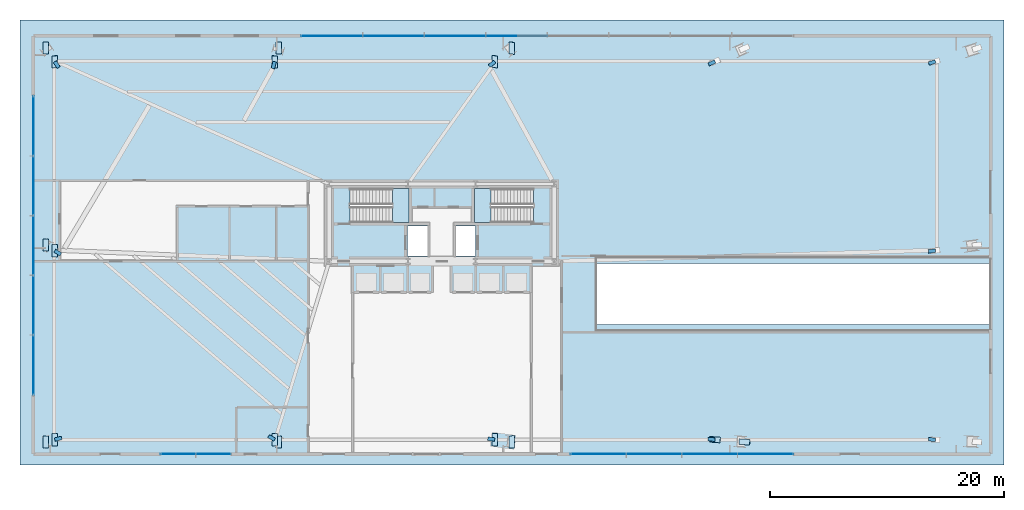
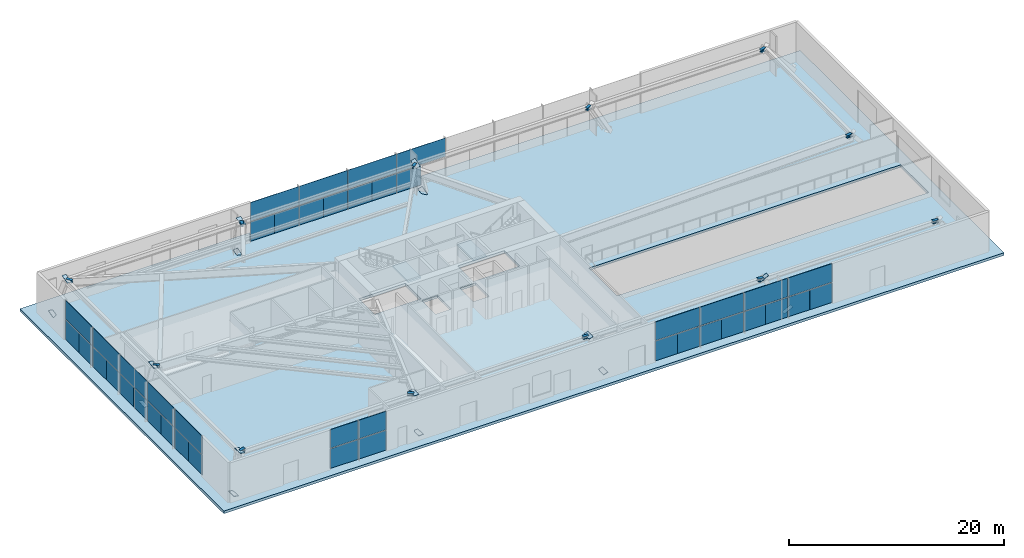
# One storey, part 22 of 31: 58 plates, 12 beams, 3 slabs, 6 elements without a shape of their own.
"""IFC4 building model written with IfcOpenShell, lengths in metres."""

from ifc_helpers import new_model, si_unit, direction, frame, origin, origin_2d, place, context, subcontext, project, spatial, polyline, rectangle, i_section, outline, extrude, source, transform, mapped, material, layer, layer_set, material_profile, profile_set, type_object, type_shapes, element, aggregate, save


model = new_model("IFC4")

# Units and contexts
model_context = context("Model", 3, precision=1e-05, world=origin(), true_north=direction((0.0, 1.0)))
body_context = subcontext(model_context, "Body", "Model", "MODEL_VIEW")
ifc_project = project(units=[si_unit("LENGTHUNIT", "METRE"), si_unit("AREAUNIT", "SQUARE_METRE"), si_unit("VOLUMEUNIT", "CUBIC_METRE"), si_unit("PLANEANGLEUNIT", "RADIAN"), si_unit("MASSUNIT", "GRAM", prefix="KILO")], contexts=[model_context])

# Site, building, storey
site_placement = place(None, origin())
site = spatial("IfcSite", under=ifc_project, at=site_placement, CompositionType="ELEMENT")
building_placement = place(site_placement, origin())
building = spatial("IfcBuilding", under=site, at=building_placement, Name="Astriad Promenade Condominiums", CompositionType="ELEMENT")
storey_placement = place(building_placement, origin())
storey = spatial("IfcBuildingStorey", under=building, at=storey_placement, Name="L00", CompositionType="ELEMENT", Elevation=0.0)

# Beams
ifc_material_1 = material(Name="Steel ASTM A992 Grade 50", Category="steel")
ifc_material_profile = material_profile(ifc_material_1, i_section(OverallWidth=0.3046875, OverallDepth=0.307861328125, WebThickness=0.010009765625, FlangeThickness=0.015380859375, FilletRadius=0.01513671875, at=origin_2d()), Name="W12X65")
ifc_profile_set = profile_set([ifc_material_profile], Name="Steel ASTM A992 Grade 50")
beam_type = type_object("IfcBeamType", Name="STEEL TRANSFER SPLICE HEADER W12X65", PredefinedType="LINTEL", material=ifc_profile_set)
shared_shape_1 = source(origin(), body_context, "Body", "SweptSolid", [
    extrude(i_section(OverallWidth=0.3046875, OverallDepth=0.307861328125, WebThickness=0.010009765625, FlangeThickness=0.015380859375, FilletRadius=0.01513671875, at=origin_2d()), origin(), (0.0, 0.0, 1.0), 0.6015625),
])
for number, where, z_axis, x_axis, name in (
    (1, (59.33056640625, 2.1748046875, 4.426025390625), (-0.997207627832, 0.074678959512, 0.0), (-0.074678959512, -0.997207627832, 0.0), "Column Transfer Splice Header SPL-PC04-L00"),
    (2, (78.14599609375, 2.17333984375, 4.426025390625), (-0.998607722654, 0.052750509527, 0.0), (-0.052750509527, -0.998607722654, 0.0), "Column Transfer Splice Header SPL-PC05-L00"),
    (3, (2.96630859375, 34.440185546875, 4.426025390625), (0.55479384988, -0.831987850954, 0.0), (0.831987850954, 0.55479384988, 0.0), "Column Transfer Splice Header SPL-PC06-L00"),
    (4, (21.745361328125, 34.438232421875, 4.426025390625), (-0.27922068724, -0.96022695641, 0.0), (0.96022695641, -0.27922068724, 0.0), "Column Transfer Splice Header SPL-PC07-L00"),
    (5, (40.531494140625, 34.4453125, 4.426025390625), (-0.780908405684, -0.624645549037, 0.0), (0.624645549037, -0.780908405684, 0.0), "Column Transfer Splice Header SPL-PC08-L00"),
    (6, (78.146484375, 18.316650390625, 4.426025390625), (-0.991477762645, -0.130276038399, 0.0), (0.130276038399, -0.991477762645, 0.0), "Column Transfer Splice Header SPL-PC12-L00"),
):
    element("IfcBeam", number, at=place(storey_placement, frame(where, z_axis=z_axis, x_axis=x_axis)), inside=storey, type_object=beam_type, Name=name, PredefinedType="LINTEL", context=body_context, shape_type="MappedRepresentation", body=[
        mapped(shared_shape_1, transform((0.0, 0.0, 0.0), scale=1.0)),
    ])
shared_shape_2 = source(origin(), body_context, "Body", "SweptSolid", [
    extrude(i_section(OverallWidth=0.3046875, OverallDepth=0.307861328125, WebThickness=0.010009765625, FlangeThickness=0.015380859375, FilletRadius=0.01513671875, at=origin_2d()), origin(), (0.0, 0.0, 1.0), 0.601318359375),
])
type_shapes(beam_type, [shared_shape_1, shared_shape_2])
for number, where, z_axis, x_axis, name in (
    (7, (2.97119140625, 2.177734375, 4.426025390625), (0.970380863356, 0.241580173095, 0.0), (-0.241580173095, 0.970380863356, 0.0), "Column Transfer Splice Header SPL-PC01-L00"),
    (8, (21.742431640625, 2.1787109375, 4.426025390625), (-0.870358625193, 0.49241838263, 0.0), (-0.49241838263, -0.870358625193, 0.0), "Column Transfer Splice Header SPL-PC02-L00"),
    (9, (40.5263671875, 2.176513671875, 4.426025390625), (-0.991312783741, 0.131525529047, 0.0), (-0.131525529047, -0.991312783741, 0.0), "Column Transfer Splice Header SPL-PC03-L00"),
    (10, (59.334716796875, 34.453857421875, 4.426025390625), (-0.910977205265, -0.412456702562, 0.0), (0.412456702562, -0.910977205265, 0.0), "Column Transfer Splice Header SPL-PC09-L00"),
    (11, (78.149169921875, 34.460693359375, 4.426025390625), (-0.953558121384, -0.301209078785, 0.0), (0.301209078785, -0.953558121384, 0.0), "Column Transfer Splice Header SPL-PC10-L00"),
    (12, (2.97021484375, 18.30615234375, 4.426025390625), (0.848408547847, -0.52934198392, 0.0), (0.52934198392, 0.848408547847, 0.0), "Column Transfer Splice Header SPL-PC11-L00"),
):
    element("IfcBeam", number, at=place(storey_placement, frame(where, z_axis=z_axis, x_axis=x_axis)), inside=storey, type_object=beam_type, Name=name, PredefinedType="LINTEL", context=body_context, shape_type="MappedRepresentation", body=[
        mapped(shared_shape_2, transform((0.0, 0.0, 0.0), scale=1.0)),
    ])

# Slab
ifc_material_2 = material(Name="Concrete C50/60", Category="concrete")
ifc_layer_1 = layer(ifc_material_2, 0.300048828125)
ifc_layer_set_1 = layer_set([ifc_layer_1], Name="Concrete C50/60")
slab_type_1 = type_object("IfcSlabType", Name="CONCRETE PODIUM AND PLANT FLOOR SLAB 300", PredefinedType="FLOOR", material=ifc_layer_set_1)
slab_1_placement = place(storey_placement, frame((0.0, 0.0, -0.300048828125)))
element("IfcSlab", 13, at=slab_1_placement, inside=storey, type_object=slab_type_1, Name="Structural Floor Slab (L00)", PredefinedType="FLOOR", context=body_context, shape_type="SweptSolid", body=[
    extrude(outline(polyline([(0.0, 0.0), (84.0, 0.0), (84.0, 38.0), (0.0, 38.0), (0.0, 0.0)]), holes=[polyline([(28.175048828125, 20.699951171875), (33.175048828125, 20.699951171875), (33.175048828125, 23.60009765625), (28.175048828125, 23.60009765625), (28.175048828125, 20.699951171875)]), polyline([(38.824951171875, 20.699951171875), (43.824951171875, 20.699951171875), (43.824951171875, 23.60009765625), (38.824951171875, 23.60009765625), (38.824951171875, 20.699951171875)]), polyline([(33.10009765625, 17.85009765625), (34.800048828125, 17.85009765625), (34.800048828125, 20.39990234375), (33.10009765625, 20.39990234375), (33.10009765625, 17.85009765625)]), polyline([(37.199951171875, 17.85009765625), (38.89990234375, 17.85009765625), (38.89990234375, 20.39990234375), (37.199951171875, 20.39990234375), (37.199951171875, 17.85009765625)]), polyline([(49.25, 12.0), (82.81005859375, 12.0), (82.81005859375, 17.199951171875), (49.25, 17.199951171875), (49.25, 12.0)])]), origin(), (0.0, 0.0, 1.0), 0.300048828125),
])

# Stair, slab
stair_type = type_object("IfcStairType", Name="STR-CORE-1350", PredefinedType="HALF_TURN_STAIR", material=ifc_material_2)
stair_1_placement = place(storey_placement, origin())
stair_1 = element("IfcStair", 14, at=stair_1_placement, inside=storey, type_object=stair_type, Name="L00 Enclosed Core Exit Stair ST-1", PredefinedType="HALF_TURN_STAIR")
ifc_layer_2 = layer(ifc_material_2, 0.219970703125)
ifc_layer_set_2 = layer_set([ifc_layer_2], Name="Concrete C50/60")
slab_type_2 = type_object("IfcSlabType", Name="SLB-LANDING-220", PredefinedType="LANDING", material=ifc_layer_set_2)
slab_2_placement = place(storey_placement, frame((0.0, 0.0, 2.300048828125)))
slab_2 = element("IfcSlab", 15, at=slab_2_placement, type_object=slab_type_2, Name="ST-1 landing 1", PredefinedType="LANDING", context=body_context, shape_type="SweptSolid", body=[
    extrude(outline(polyline([(31.7900390625, 20.699951171875), (33.199951171875, 20.699951171875), (33.199951171875, 23.60009765625), (31.7900390625, 23.60009765625), (31.7900390625, 20.699951171875)])), origin(), (0.0, 0.0, 1.0), 0.199951171875),
])
aggregate(stair_1, [slab_2])

stair_2_placement = place(storey_placement, origin())
stair_2 = element("IfcStair", 16, at=stair_2_placement, inside=storey, type_object=stair_type, Name="L00 Enclosed Core Exit Stair ST-2", PredefinedType="HALF_TURN_STAIR")
slab_3_placement = place(storey_placement, frame((0.0, 0.0, 2.300048828125)))
slab_3 = element("IfcSlab", 17, at=slab_3_placement, type_object=slab_type_2, Name="ST-2 landing 1", PredefinedType="LANDING", context=body_context, shape_type="SweptSolid", body=[
    extrude(outline(polyline([(40.2099609375, 23.60009765625), (38.800048828125, 23.60009765625), (38.800048828125, 20.699951171875), (40.2099609375, 20.699951171875), (40.2099609375, 23.60009765625)])), origin(), (0.0, 0.0, 1.0), 0.199951171875),
])
aggregate(stair_2, [slab_3])

# Plates
ifc_material_3 = material(Name="Steel ASTM A572 Grade 50", Category="steel")
ifc_layer_3 = layer(ifc_material_3, 0.02490234375)
ifc_layer_set_3 = layer_set([ifc_layer_3], Name="Steel ASTM A572 Grade 50")
plate_type_1 = type_object("IfcPlateType", Name="STEEL HOLLOW SECTION END CAP PLATE 30", PredefinedType="USERDEFINED", material=ifc_layer_set_3)
shared_shape_3 = source(origin(), body_context, "Body", "SweptSolid", [
    extrude(rectangle(XDim=0.477294921875, YDim=1.05126953125, at=origin_2d()), origin(), (0.0, 0.0, 1.0), 0.02490234375),
])
type_shapes(plate_type_1, [shared_shape_3])
for number, where, z_axis, x_axis, name in (
    (18, (2.1845703125, 1.981201171875, 0.0263671875), (0.171896882021, 0.042985209005, 0.984176678121), (1.0, 0.0, 0.0), "Hollow Section End Cap Plate COL-PC01-L00-A"),
    (19, (2.970947265625, 2.177734375, 4.529296875), (0.171896882021, 0.042985209005, 0.984176678121), (1.0, 0.0, 0.0), "Hollow Section End Cap Plate COL-PC01-L00-B"),
    (20, (22.089599609375, 1.98046875, 0.00634765625), (-0.076118083013, 0.043483447007, 0.99615020317), (1.0, 0.0, 0.0), "Hollow Section End Cap Plate COL-PC02-L00-A"),
    (21, (21.742431640625, 2.1787109375, 4.548828125), (-0.076118083013, 0.043483447007, 0.99615020317), (1.0, 0.0, 0.0), "Hollow Section End Cap Plate COL-PC02-L00-B"),
    (22, (41.9814453125, 1.982421875, 0.056884765625), (-0.310974724135, 0.041471892018, 0.949512929413), (1.0, 0.0, 0.0), "Hollow Section End Cap Plate COL-PC03-L00-A"),
    (23, (40.5263671875, 2.176513671875, 4.49951171875), (-0.310974724135, 0.041471892018, 0.949512929413), (1.0, 0.0, 0.0), "Hollow Section End Cap Plate COL-PC03-L00-B"),
    (24, (61.85205078125, 1.984375, 0.100341796875), (-0.500447434033, 0.037777897003, 0.864942308057), (-0.075274072964, -0.997162882351, 0.0), "Hollow Section End Cap Plate COL-PC04-L00-A"),
    (25, (59.33056640625, 2.1748046875, 4.458251953125), (-0.500447434033, 0.037777897003, 0.864942308057), (-0.075274072964, -0.997162882351, 0.0), "Hollow Section End Cap Plate COL-PC04-L00-B"),
    (26, (2.189453125, 35.60595703125, 0.0537109375), (0.166587773066, -0.249924772099, 0.953827092379), (1.0, 0.0, 0.0), "Hollow Section End Cap Plate COL-PC06-L00-A"),
    (27, (2.966552734375, 34.4404296875, 4.50244140625), (0.166587773066, -0.249924772099, 0.953827092379), (1.0, 0.0, 0.0), "Hollow Section End Cap Plate COL-PC06-L00-B"),
    (28, (22.086669921875, 35.608154296875, 0.045654296875), (-0.073730601014, -0.252778219049, 0.964710822189), (1.0, 0.0, 0.0), "Hollow Section End Cap Plate COL-PC07-L00-A"),
    (29, (21.745361328125, 34.438232421875, 4.510498046875), (-0.073730601014, -0.252778219049, 0.964710822189), (1.0, 0.0, 0.0), "Hollow Section End Cap Plate COL-PC07-L00-B"),
    (30, (41.975830078125, 35.6005859375, 0.07373046875), (-0.302035898025, -0.24162031002, 0.922168066076), (1.0, 0.0, 0.0), "Hollow Section End Cap Plate COL-PC08-L00-A"),
    (31, (40.531494140625, 34.4453125, 4.4833984375), (-0.302035898025, -0.24162031002, 0.922168066076), (1.0, 0.0, 0.0), "Hollow Section End Cap Plate COL-PC08-L00-B"),
    (32, (2.185546875, 18.79638671875, 0.03173828125), (0.171080260009, -0.106936123006, 0.979436680052), (1.0, 0.0, 0.0), "Hollow Section End Cap Plate COL-PC11-L00-A"),
    (33, (2.97021484375, 18.305908203125, 4.52392578125), (0.171080260009, -0.106936123006, 0.979436680052), (1.0, 0.0, 0.0), "Hollow Section End Cap Plate COL-PC11-L00-B"),
):
    element("IfcPlate", number, at=place(storey_placement, frame(where, z_axis=z_axis, x_axis=x_axis)), inside=storey, type_object=plate_type_1, Name=name, ObjectType="STIFFENER_PLATE", PredefinedType="USERDEFINED", context=body_context, shape_type="MappedRepresentation", body=[
        mapped(shared_shape_3, transform((0.0, 0.0, 0.0), scale=1.0)),
    ])

# Curtain wall, plates
ifc_material_4 = material(Name="Anodised aluminium Black Dark Glass Unitised", Category="aluminium")
curtain_wall_type = type_object("IfcCurtainWallType", Name="CW-POD-DARK", PredefinedType="USERDEFINED", material=ifc_material_4)
curtain_wall_1_placement = place(storey_placement, origin())
curtain_wall_1 = element("IfcCurtainWall", 34, at=curtain_wall_1_placement, inside=storey, type_object=curtain_wall_type, Name="CW-L00-W", ObjectType="UNITISED_CURTAIN_WALL", PredefinedType="USERDEFINED")
ifc_material_5 = material(Name="Dark Tinted Low-E Laminated Glass", Category="glass")
ifc_layer_4 = layer(ifc_material_5, 0.035888671875)
ifc_layer_set_4 = layer_set([ifc_layer_4], Name="Dark Tinted Low-E Laminated Glass")
plate_type_2 = type_object("IfcPlateType", Name="PNL-DARK-GLASS-36", PredefinedType="CURTAIN_PANEL", material=ifc_layer_set_4)
shared_shape_4 = source(origin(), body_context, "Body", "SweptSolid", [
    extrude(rectangle(XDim=2.5380859375, YDim=0.035888671875, at=origin_2d()), origin(), (0.0, 0.0, 1.0), 2.22998046875),
])
plate_1_placement = place(storey_placement, frame((1.14990234375, 7.27490234375, 0.080078125), z_axis=(0.0, 0.0, 1.0), x_axis=(0.0, 1.0, 0.0)))
plate_1 = element("IfcPlate", 35, at=plate_1_placement, type_object=plate_type_2, Name="CW-L00-W-PNL-00-VL", PredefinedType="CURTAIN_PANEL", context=body_context, shape_type="MappedRepresentation", body=[
    mapped(shared_shape_4, transform((0.0, 0.0, 0.0), scale=1.0)),
])
plate_2_placement = place(storey_placement, frame((1.14990234375, 9.824951171875, 0.080078125), z_axis=(0.0, 0.0, 1.0), x_axis=(0.0, 1.0, 0.0)))
plate_2 = element("IfcPlate", 36, at=plate_2_placement, type_object=plate_type_2, Name="CW-L00-W-PNL-00-VR", PredefinedType="CURTAIN_PANEL", context=body_context, shape_type="MappedRepresentation", body=[
    mapped(shared_shape_4, transform((0.0, 0.0, 0.0), scale=1.0)),
])
plate_3_placement = place(storey_placement, frame((1.14990234375, 12.375, 0.080078125), z_axis=(0.0, 0.0, 1.0), x_axis=(0.0, 1.0, 0.0)))
plate_3 = element("IfcPlate", 37, at=plate_3_placement, type_object=plate_type_2, Name="CW-L00-W-PNL-01-VL", PredefinedType="CURTAIN_PANEL", context=body_context, shape_type="MappedRepresentation", body=[
    mapped(shared_shape_4, transform((0.0, 0.0, 0.0), scale=1.0)),
])
plate_4_placement = place(storey_placement, frame((1.14990234375, 14.925048828125, 0.080078125), z_axis=(0.0, 0.0, 1.0), x_axis=(0.0, 1.0, 0.0)))
plate_4 = element("IfcPlate", 38, at=plate_4_placement, type_object=plate_type_2, Name="CW-L00-W-PNL-01-VR", PredefinedType="CURTAIN_PANEL", context=body_context, shape_type="MappedRepresentation", body=[
    mapped(shared_shape_4, transform((0.0, 0.0, 0.0), scale=1.0)),
])
plate_5_placement = place(storey_placement, frame((1.14990234375, 17.47509765625, 0.080078125), z_axis=(0.0, 0.0, 1.0), x_axis=(0.0, 1.0, 0.0)))
plate_5 = element("IfcPlate", 39, at=plate_5_placement, type_object=plate_type_2, Name="CW-L00-W-PNL-02-VL", PredefinedType="CURTAIN_PANEL", context=body_context, shape_type="MappedRepresentation", body=[
    mapped(shared_shape_4, transform((0.0, 0.0, 0.0), scale=1.0)),
])
plate_6_placement = place(storey_placement, frame((1.14990234375, 20.02490234375, 0.080078125), z_axis=(0.0, 0.0, 1.0), x_axis=(0.0, 1.0, 0.0)))
plate_6 = element("IfcPlate", 40, at=plate_6_placement, type_object=plate_type_2, Name="CW-L00-W-PNL-02-VR", PredefinedType="CURTAIN_PANEL", context=body_context, shape_type="MappedRepresentation", body=[
    mapped(shared_shape_4, transform((0.0, 0.0, 0.0), scale=1.0)),
])
plate_7_placement = place(storey_placement, frame((1.14990234375, 22.574951171875, 0.080078125), z_axis=(0.0, 0.0, 1.0), x_axis=(0.0, 1.0, 0.0)))
plate_7 = element("IfcPlate", 41, at=plate_7_placement, type_object=plate_type_2, Name="CW-L00-W-PNL-03-VL", PredefinedType="CURTAIN_PANEL", context=body_context, shape_type="MappedRepresentation", body=[
    mapped(shared_shape_4, transform((0.0, 0.0, 0.0), scale=1.0)),
])
plate_8_placement = place(storey_placement, frame((1.14990234375, 25.125, 0.080078125), z_axis=(0.0, 0.0, 1.0), x_axis=(0.0, 1.0, 0.0)))
plate_8 = element("IfcPlate", 42, at=plate_8_placement, type_object=plate_type_2, Name="CW-L00-W-PNL-03-VR", PredefinedType="CURTAIN_PANEL", context=body_context, shape_type="MappedRepresentation", body=[
    mapped(shared_shape_4, transform((0.0, 0.0, 0.0), scale=1.0)),
])
plate_9_placement = place(storey_placement, frame((1.14990234375, 27.675048828125, 0.080078125), z_axis=(0.0, 0.0, 1.0), x_axis=(0.0, 1.0, 0.0)))
plate_9 = element("IfcPlate", 43, at=plate_9_placement, type_object=plate_type_2, Name="CW-L00-W-PNL-04-VL", PredefinedType="CURTAIN_PANEL", context=body_context, shape_type="MappedRepresentation", body=[
    mapped(shared_shape_4, transform((0.0, 0.0, 0.0), scale=1.0)),
])
plate_10_placement = place(storey_placement, frame((1.14990234375, 30.22509765625, 0.080078125), z_axis=(0.0, 0.0, 1.0), x_axis=(0.0, 1.0, 0.0)))
plate_10 = element("IfcPlate", 44, at=plate_10_placement, type_object=plate_type_2, Name="CW-L00-W-PNL-04-VR", PredefinedType="CURTAIN_PANEL", context=body_context, shape_type="MappedRepresentation", body=[
    mapped(shared_shape_4, transform((0.0, 0.0, 0.0), scale=1.0)),
])
shared_shape_5 = source(origin(), body_context, "Body", "SweptSolid", [
    extrude(rectangle(XDim=5.087890625, YDim=0.035888671875, at=origin_2d()), origin(), (0.0, 0.0, 1.0), 2.110107421875),
])
plate_11_placement = place(storey_placement, frame((1.14990234375, 8.550048828125, 2.39013671875), z_axis=(0.0, 0.0, 1.0), x_axis=(0.0, 1.0, 0.0)))
plate_11 = element("IfcPlate", 45, at=plate_11_placement, type_object=plate_type_2, Name="CW-L00-W-PNL-00-S", PredefinedType="CURTAIN_PANEL", context=body_context, shape_type="MappedRepresentation", body=[
    mapped(shared_shape_5, transform((0.0, 0.0, 0.0), scale=1.0)),
])
plate_12_placement = place(storey_placement, frame((1.14990234375, 13.64990234375, 2.39013671875), z_axis=(0.0, 0.0, 1.0), x_axis=(0.0, 1.0, 0.0)))
plate_12 = element("IfcPlate", 46, at=plate_12_placement, type_object=plate_type_2, Name="CW-L00-W-PNL-01-S", PredefinedType="CURTAIN_PANEL", context=body_context, shape_type="MappedRepresentation", body=[
    mapped(shared_shape_5, transform((0.0, 0.0, 0.0), scale=1.0)),
])
plate_13_placement = place(storey_placement, frame((1.14990234375, 18.75, 2.39013671875), z_axis=(0.0, 0.0, 1.0), x_axis=(0.0, 1.0, 0.0)))
plate_13 = element("IfcPlate", 47, at=plate_13_placement, type_object=plate_type_2, Name="CW-L00-W-PNL-02-S", PredefinedType="CURTAIN_PANEL", context=body_context, shape_type="MappedRepresentation", body=[
    mapped(shared_shape_5, transform((0.0, 0.0, 0.0), scale=1.0)),
])
plate_14_placement = place(storey_placement, frame((1.14990234375, 23.85009765625, 2.39013671875), z_axis=(0.0, 0.0, 1.0), x_axis=(0.0, 1.0, 0.0)))
plate_14 = element("IfcPlate", 48, at=plate_14_placement, type_object=plate_type_2, Name="CW-L00-W-PNL-03-S", PredefinedType="CURTAIN_PANEL", context=body_context, shape_type="MappedRepresentation", body=[
    mapped(shared_shape_5, transform((0.0, 0.0, 0.0), scale=1.0)),
])
plate_15_placement = place(storey_placement, frame((1.14990234375, 28.949951171875, 2.39013671875), z_axis=(0.0, 0.0, 1.0), x_axis=(0.0, 1.0, 0.0)))
plate_15 = element("IfcPlate", 49, at=plate_15_placement, type_object=plate_type_2, Name="CW-L00-W-PNL-04-S", PredefinedType="CURTAIN_PANEL", context=body_context, shape_type="MappedRepresentation", body=[
    mapped(shared_shape_5, transform((0.0, 0.0, 0.0), scale=1.0)),
])
aggregate(curtain_wall_1, [plate_1, plate_2, plate_11, plate_3, plate_4, plate_12, plate_5, plate_6, plate_13, plate_7, plate_8, plate_14, plate_9, plate_10, plate_15])

curtain_wall_2_placement = place(storey_placement, origin())
curtain_wall_2 = element("IfcCurtainWall", 50, at=curtain_wall_2_placement, inside=storey, type_object=curtain_wall_type, Name="CW-L00-N", ObjectType="UNITISED_CURTAIN_WALL", PredefinedType="USERDEFINED")
shared_shape_6 = source(origin(), body_context, "Body", "SweptSolid", [
    extrude(rectangle(XDim=2.613037109375, YDim=0.035888671875, at=origin_2d()), origin(), (0.0, 0.0, 1.0), 2.22998046875),
])
plate_16_placement = place(storey_placement, frame((25.3125, 36.64990234375, 0.080078125), z_axis=(0.0, 0.0, 1.0), x_axis=(1.0, 0.0, 0.0)))
plate_16 = element("IfcPlate", 51, at=plate_16_placement, type_object=plate_type_2, Name="CW-L00-N-PNL-00-VL", PredefinedType="CURTAIN_PANEL", context=body_context, shape_type="MappedRepresentation", body=[
    mapped(shared_shape_6, transform((0.0, 0.0, 0.0), scale=1.0)),
])
plate_17_placement = place(storey_placement, frame((27.9375, 36.64990234375, 0.080078125), z_axis=(0.0, 0.0, 1.0), x_axis=(1.0, 0.0, 0.0)))
plate_17 = element("IfcPlate", 52, at=plate_17_placement, type_object=plate_type_2, Name="CW-L00-N-PNL-00-VR", PredefinedType="CURTAIN_PANEL", context=body_context, shape_type="MappedRepresentation", body=[
    mapped(shared_shape_6, transform((0.0, 0.0, 0.0), scale=1.0)),
])
plate_18_placement = place(storey_placement, frame((30.5625, 36.64990234375, 0.080078125), z_axis=(0.0, 0.0, 1.0), x_axis=(1.0, 0.0, 0.0)))
plate_18 = element("IfcPlate", 53, at=plate_18_placement, type_object=plate_type_2, Name="CW-L00-N-PNL-01-VL", PredefinedType="CURTAIN_PANEL", context=body_context, shape_type="MappedRepresentation", body=[
    mapped(shared_shape_6, transform((0.0, 0.0, 0.0), scale=1.0)),
])
plate_19_placement = place(storey_placement, frame((33.1875, 36.64990234375, 0.080078125), z_axis=(0.0, 0.0, 1.0), x_axis=(1.0, 0.0, 0.0)))
plate_19 = element("IfcPlate", 54, at=plate_19_placement, type_object=plate_type_2, Name="CW-L00-N-PNL-01-VR", PredefinedType="CURTAIN_PANEL", context=body_context, shape_type="MappedRepresentation", body=[
    mapped(shared_shape_6, transform((0.0, 0.0, 0.0), scale=1.0)),
])
plate_20_placement = place(storey_placement, frame((35.8125, 36.64990234375, 0.080078125), z_axis=(0.0, 0.0, 1.0), x_axis=(1.0, 0.0, 0.0)))
plate_20 = element("IfcPlate", 55, at=plate_20_placement, type_object=plate_type_2, Name="CW-L00-N-PNL-02-VL", PredefinedType="CURTAIN_PANEL", context=body_context, shape_type="MappedRepresentation", body=[
    mapped(shared_shape_6, transform((0.0, 0.0, 0.0), scale=1.0)),
])
plate_21_placement = place(storey_placement, frame((38.4375, 36.64990234375, 0.080078125), z_axis=(0.0, 0.0, 1.0), x_axis=(1.0, 0.0, 0.0)))
plate_21 = element("IfcPlate", 56, at=plate_21_placement, type_object=plate_type_2, Name="CW-L00-N-PNL-02-VR", PredefinedType="CURTAIN_PANEL", context=body_context, shape_type="MappedRepresentation", body=[
    mapped(shared_shape_6, transform((0.0, 0.0, 0.0), scale=1.0)),
])
plate_22_placement = place(storey_placement, frame((41.0625, 36.64990234375, 0.080078125), z_axis=(0.0, 0.0, 1.0), x_axis=(1.0, 0.0, 0.0)))
plate_22 = element("IfcPlate", 57, at=plate_22_placement, type_object=plate_type_2, Name="CW-L00-N-PNL-03-VL", PredefinedType="CURTAIN_PANEL", context=body_context, shape_type="MappedRepresentation", body=[
    mapped(shared_shape_6, transform((0.0, 0.0, 0.0), scale=1.0)),
])
shared_shape_7 = source(origin(), body_context, "Body", "SweptSolid", [
    extrude(rectangle(XDim=5.238037109375, YDim=0.035888671875, at=origin_2d()), origin(), (0.0, 0.0, 1.0), 2.110107421875),
])
plate_23_placement = place(storey_placement, frame((26.625, 36.64990234375, 2.39013671875), z_axis=(0.0, 0.0, 1.0), x_axis=(1.0, 0.0, 0.0)))
plate_23 = element("IfcPlate", 58, at=plate_23_placement, type_object=plate_type_2, Name="CW-L00-N-PNL-00-S", PredefinedType="CURTAIN_PANEL", context=body_context, shape_type="MappedRepresentation", body=[
    mapped(shared_shape_7, transform((0.0, 0.0, 0.0), scale=1.0)),
])
plate_24_placement = place(storey_placement, frame((31.875, 36.64990234375, 2.39013671875), z_axis=(0.0, 0.0, 1.0), x_axis=(1.0, 0.0, 0.0)))
plate_24 = element("IfcPlate", 59, at=plate_24_placement, type_object=plate_type_2, Name="CW-L00-N-PNL-01-S", PredefinedType="CURTAIN_PANEL", context=body_context, shape_type="MappedRepresentation", body=[
    mapped(shared_shape_7, transform((0.0, 0.0, 0.0), scale=1.0)),
])
plate_25_placement = place(storey_placement, frame((37.125, 36.64990234375, 2.39013671875), z_axis=(0.0, 0.0, 1.0), x_axis=(1.0, 0.0, 0.0)))
plate_25 = element("IfcPlate", 60, at=plate_25_placement, type_object=plate_type_2, Name="CW-L00-N-PNL-02-S", PredefinedType="CURTAIN_PANEL", context=body_context, shape_type="MappedRepresentation", body=[
    mapped(shared_shape_7, transform((0.0, 0.0, 0.0), scale=1.0)),
])
plate_26_placement = place(storey_placement, frame((42.375, 36.64990234375, 2.39013671875), z_axis=(0.0, 0.0, 1.0), x_axis=(1.0, 0.0, 0.0)))
plate_26 = element("IfcPlate", 61, at=plate_26_placement, type_object=plate_type_2, Name="CW-L00-N-PNL-03-S", PredefinedType="CURTAIN_PANEL", context=body_context, shape_type="MappedRepresentation", body=[
    mapped(shared_shape_7, transform((0.0, 0.0, 0.0), scale=1.0)),
])
aggregate(curtain_wall_2, [plate_16, plate_17, plate_23, plate_18, plate_19, plate_24, plate_20, plate_21, plate_25, plate_22, plate_26])

curtain_wall_3_placement = place(storey_placement, origin())
curtain_wall_3 = element("IfcCurtainWall", 62, at=curtain_wall_3_placement, inside=storey, type_object=curtain_wall_type, Name="CW-L00-SE", ObjectType="UNITISED_CURTAIN_WALL", PredefinedType="USERDEFINED")
shared_shape_8 = source(origin(), body_context, "Body", "SweptSolid", [
    extrude(rectangle(XDim=2.363037109375, YDim=0.035888671875, at=origin_2d()), origin(), (0.0, 0.0, 1.0), 2.22998046875),
])
plate_27_placement = place(storey_placement, frame((64.8125, 0.949951171875, 0.080078125), z_axis=(0.0, 0.0, 1.0), x_axis=(-1.0, 0.0, 0.0)))
plate_27 = element("IfcPlate", 63, at=plate_27_placement, type_object=plate_type_2, Name="CW-L00-SE-PNL-00-VL", PredefinedType="CURTAIN_PANEL", context=body_context, shape_type="MappedRepresentation", body=[
    mapped(shared_shape_8, transform((0.0, 0.0, 0.0), scale=1.0)),
])
plate_28_placement = place(storey_placement, frame((62.4375, 0.949951171875, 0.080078125), z_axis=(0.0, 0.0, 1.0), x_axis=(-1.0, 0.0, 0.0)))
plate_28 = element("IfcPlate", 64, at=plate_28_placement, type_object=plate_type_2, Name="CW-L00-SE-PNL-00-VR", PredefinedType="CURTAIN_PANEL", context=body_context, shape_type="MappedRepresentation", body=[
    mapped(shared_shape_8, transform((0.0, 0.0, 0.0), scale=1.0)),
])
plate_29_placement = place(storey_placement, frame((60.0625, 0.949951171875, 0.080078125), z_axis=(0.0, 0.0, 1.0), x_axis=(-1.0, 0.0, 0.0)))
plate_29 = element("IfcPlate", 65, at=plate_29_placement, type_object=plate_type_2, Name="CW-L00-SE-PNL-01-VL", PredefinedType="CURTAIN_PANEL", context=body_context, shape_type="MappedRepresentation", body=[
    mapped(shared_shape_8, transform((0.0, 0.0, 0.0), scale=1.0)),
])
plate_30_placement = place(storey_placement, frame((57.6875, 0.949951171875, 0.080078125), z_axis=(0.0, 0.0, 1.0), x_axis=(-1.0, 0.0, 0.0)))
plate_30 = element("IfcPlate", 66, at=plate_30_placement, type_object=plate_type_2, Name="CW-L00-SE-PNL-01-VR", PredefinedType="CURTAIN_PANEL", context=body_context, shape_type="MappedRepresentation", body=[
    mapped(shared_shape_8, transform((0.0, 0.0, 0.0), scale=1.0)),
])
plate_31_placement = place(storey_placement, frame((55.3125, 0.949951171875, 0.080078125), z_axis=(0.0, 0.0, 1.0), x_axis=(-1.0, 0.0, 0.0)))
plate_31 = element("IfcPlate", 67, at=plate_31_placement, type_object=plate_type_2, Name="CW-L00-SE-PNL-02-VL", PredefinedType="CURTAIN_PANEL", context=body_context, shape_type="MappedRepresentation", body=[
    mapped(shared_shape_8, transform((0.0, 0.0, 0.0), scale=1.0)),
])
plate_32_placement = place(storey_placement, frame((52.9375, 0.949951171875, 0.080078125), z_axis=(0.0, 0.0, 1.0), x_axis=(-1.0, 0.0, 0.0)))
plate_32 = element("IfcPlate", 68, at=plate_32_placement, type_object=plate_type_2, Name="CW-L00-SE-PNL-02-VR", PredefinedType="CURTAIN_PANEL", context=body_context, shape_type="MappedRepresentation", body=[
    mapped(shared_shape_8, transform((0.0, 0.0, 0.0), scale=1.0)),
])
plate_33_placement = place(storey_placement, frame((50.5625, 0.949951171875, 0.080078125), z_axis=(0.0, 0.0, 1.0), x_axis=(-1.0, 0.0, 0.0)))
plate_33 = element("IfcPlate", 69, at=plate_33_placement, type_object=plate_type_2, Name="CW-L00-SE-PNL-03-VL", PredefinedType="CURTAIN_PANEL", context=body_context, shape_type="MappedRepresentation", body=[
    mapped(shared_shape_8, transform((0.0, 0.0, 0.0), scale=1.0)),
])
plate_34_placement = place(storey_placement, frame((48.1875, 0.949951171875, 0.080078125), z_axis=(0.0, 0.0, 1.0), x_axis=(-1.0, 0.0, 0.0)))
plate_34 = element("IfcPlate", 70, at=plate_34_placement, type_object=plate_type_2, Name="CW-L00-SE-PNL-03-VR", PredefinedType="CURTAIN_PANEL", context=body_context, shape_type="MappedRepresentation", body=[
    mapped(shared_shape_8, transform((0.0, 0.0, 0.0), scale=1.0)),
])
shared_shape_9 = source(origin(), body_context, "Body", "SweptSolid", [
    extrude(rectangle(XDim=4.738037109375, YDim=0.035888671875, at=origin_2d()), origin(), (0.0, 0.0, 1.0), 2.110107421875),
])
plate_35_placement = place(storey_placement, frame((63.625, 0.949951171875, 2.39013671875), z_axis=(0.0, 0.0, 1.0), x_axis=(-1.0, 0.0, 0.0)))
plate_35 = element("IfcPlate", 71, at=plate_35_placement, type_object=plate_type_2, Name="CW-L00-SE-PNL-00-S", PredefinedType="CURTAIN_PANEL", context=body_context, shape_type="MappedRepresentation", body=[
    mapped(shared_shape_9, transform((0.0, 0.0, 0.0), scale=1.0)),
])
plate_36_placement = place(storey_placement, frame((58.875, 0.949951171875, 2.39013671875), z_axis=(0.0, 0.0, 1.0), x_axis=(-1.0, 0.0, 0.0)))
plate_36 = element("IfcPlate", 72, at=plate_36_placement, type_object=plate_type_2, Name="CW-L00-SE-PNL-01-S", PredefinedType="CURTAIN_PANEL", context=body_context, shape_type="MappedRepresentation", body=[
    mapped(shared_shape_9, transform((0.0, 0.0, 0.0), scale=1.0)),
])
plate_37_placement = place(storey_placement, frame((54.125, 0.949951171875, 2.39013671875), z_axis=(0.0, 0.0, 1.0), x_axis=(-1.0, 0.0, 0.0)))
plate_37 = element("IfcPlate", 73, at=plate_37_placement, type_object=plate_type_2, Name="CW-L00-SE-PNL-02-S", PredefinedType="CURTAIN_PANEL", context=body_context, shape_type="MappedRepresentation", body=[
    mapped(shared_shape_9, transform((0.0, 0.0, 0.0), scale=1.0)),
])
plate_38_placement = place(storey_placement, frame((49.375, 0.949951171875, 2.39013671875), z_axis=(0.0, 0.0, 1.0), x_axis=(-1.0, 0.0, 0.0)))
plate_38 = element("IfcPlate", 74, at=plate_38_placement, type_object=plate_type_2, Name="CW-L00-SE-PNL-03-S", PredefinedType="CURTAIN_PANEL", context=body_context, shape_type="MappedRepresentation", body=[
    mapped(shared_shape_9, transform((0.0, 0.0, 0.0), scale=1.0)),
])
aggregate(curtain_wall_3, [plate_27, plate_28, plate_35, plate_29, plate_30, plate_36, plate_31, plate_32, plate_37, plate_33, plate_34, plate_38])

curtain_wall_4_placement = place(storey_placement, origin())
curtain_wall_4 = element("IfcCurtainWall", 75, at=curtain_wall_4_placement, inside=storey, type_object=curtain_wall_type, Name="CW-L00-SW", ObjectType="UNITISED_CURTAIN_WALL", PredefinedType="USERDEFINED")
shared_shape_10 = source(origin(), body_context, "Body", "SweptSolid", [
    extrude(rectangle(XDim=2.988037109375, YDim=0.035888671875, at=origin_2d()), origin(), (0.0, 0.0, 1.0), 2.22998046875),
])
plate_39_placement = place(storey_placement, frame((16.5, 0.949951171875, 0.080078125), z_axis=(0.0, 0.0, 1.0), x_axis=(-1.0, 0.0, 0.0)))
plate_39 = element("IfcPlate", 76, at=plate_39_placement, type_object=plate_type_2, Name="CW-L00-SW-PNL-00-V", PredefinedType="CURTAIN_PANEL", context=body_context, shape_type="MappedRepresentation", body=[
    mapped(shared_shape_10, transform((0.0, 0.0, 0.0), scale=1.0)),
])
plate_40_placement = place(storey_placement, frame((13.5, 0.949951171875, 0.080078125), z_axis=(0.0, 0.0, 1.0), x_axis=(-1.0, 0.0, 0.0)))
plate_40 = element("IfcPlate", 77, at=plate_40_placement, type_object=plate_type_2, Name="CW-L00-SW-PNL-01-V", PredefinedType="CURTAIN_PANEL", context=body_context, shape_type="MappedRepresentation", body=[
    mapped(shared_shape_10, transform((0.0, 0.0, 0.0), scale=1.0)),
])
shared_shape_11 = source(origin(), body_context, "Body", "SweptSolid", [
    extrude(rectangle(XDim=2.988037109375, YDim=0.035888671875, at=origin_2d()), origin(), (0.0, 0.0, 1.0), 2.110107421875),
])
type_shapes(plate_type_2, [shared_shape_4, shared_shape_5, shared_shape_6, shared_shape_7, shared_shape_8, shared_shape_9, shared_shape_10, shared_shape_11])
plate_41_placement = place(storey_placement, frame((16.5, 0.949951171875, 2.39013671875), z_axis=(0.0, 0.0, 1.0), x_axis=(-1.0, 0.0, 0.0)))
plate_41 = element("IfcPlate", 78, at=plate_41_placement, type_object=plate_type_2, Name="CW-L00-SW-PNL-00-S", PredefinedType="CURTAIN_PANEL", context=body_context, shape_type="MappedRepresentation", body=[
    mapped(shared_shape_11, transform((0.0, 0.0, 0.0), scale=1.0)),
])
plate_42_placement = place(storey_placement, frame((13.5, 0.949951171875, 2.39013671875), z_axis=(0.0, 0.0, 1.0), x_axis=(-1.0, 0.0, 0.0)))
plate_42 = element("IfcPlate", 79, at=plate_42_placement, type_object=plate_type_2, Name="CW-L00-SW-PNL-01-S", PredefinedType="CURTAIN_PANEL", context=body_context, shape_type="MappedRepresentation", body=[
    mapped(shared_shape_11, transform((0.0, 0.0, 0.0), scale=1.0)),
])
aggregate(curtain_wall_4, [plate_39, plate_41, plate_40, plate_42])

save(model, "model.ifc")
